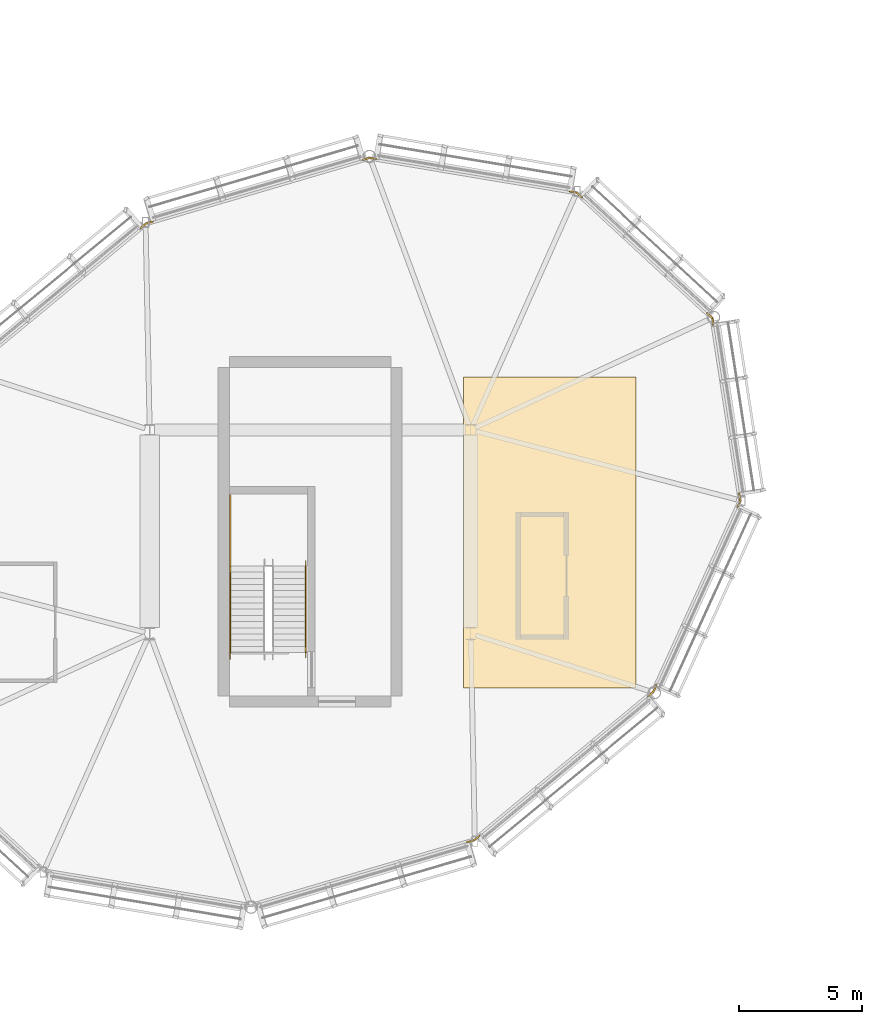
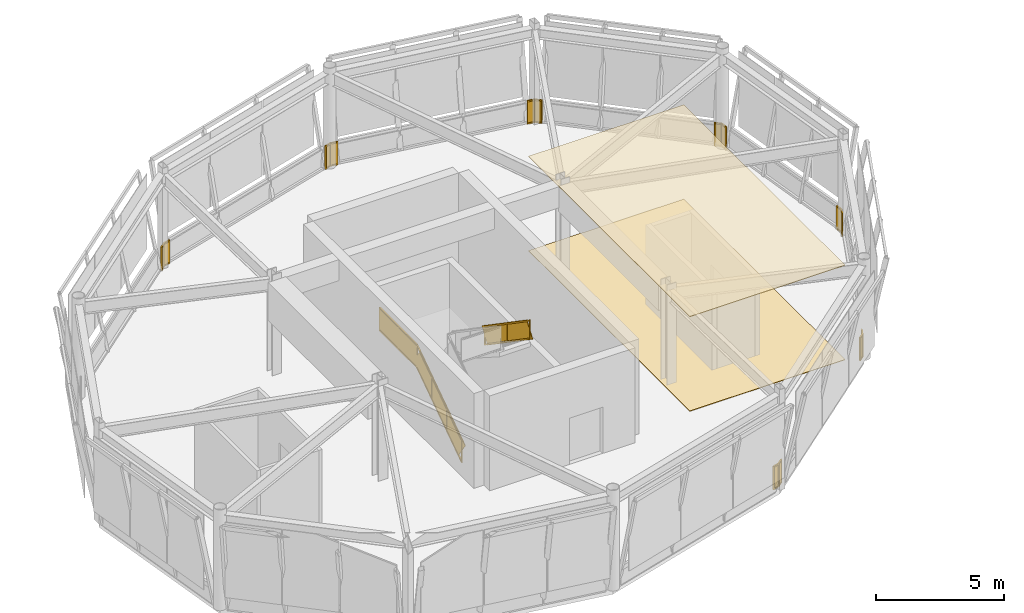
# One storey, part 94 of 94: 10 railings, 2 coverings.
"""IFC4 building model written with IfcOpenShell, lengths in metres."""

from ifc_helpers import new_model, si_unit, direction, frame, origin, origin_2d, place, context, subcontext, project, spatial, polyline, rectangle, outline, extrude, material, layer, layer_set, type_object, element, save


model = new_model("IFC4")

# Units and contexts
model_context = context("Model", 3, precision=1e-05, world=origin(), true_north=direction((0.0, 1.0)))
body_context = subcontext(model_context, "Body", "Model", "MODEL_VIEW")
ifc_project = project(units=[si_unit("LENGTHUNIT", "METRE"), si_unit("AREAUNIT", "SQUARE_METRE"), si_unit("VOLUMEUNIT", "CUBIC_METRE"), si_unit("PLANEANGLEUNIT", "RADIAN"), si_unit("MASSUNIT", "GRAM", prefix="KILO")], contexts=[model_context])

# Site, building, storey
site_placement = place(None, origin())
site = spatial("IfcSite", under=ifc_project, at=site_placement, CompositionType="ELEMENT")
building_placement = place(site_placement, origin())
building = spatial("IfcBuilding", under=site, at=building_placement, Name="Linyun Crest Stadium", CompositionType="ELEMENT")
storey_placement = place(building_placement, frame((0.0, 0.0, 16.199951171875)))
storey = spatial("IfcBuildingStorey", under=building, at=storey_placement, Name="L04", CompositionType="ELEMENT", Elevation=16.199951171875)

# Coverings
ifc_material_1 = material(Name="Perforated acoustic mineral-fibre ceiling")
ifc_layer_1 = layer(ifc_material_1, 0.02490234375)
ifc_layer_set_1 = layer_set([ifc_layer_1], Name="Perforated acoustic mineral-fibre ceiling")
covering_type_1 = type_object("IfcCoveringType", Name="CLG01", PredefinedType="CEILING", material=ifc_layer_set_1)
covering_1_placement = place(storey_placement, frame((0.0, 0.0, 4.4951171875)))
element("IfcCovering", 1, at=covering_1_placement, inside=storey, type_object=covering_type_1, Name="Suspended acoustic ceiling CLG01 48", PredefinedType="CEILING", context=body_context, shape_type="SweptSolid", body=[
    extrude(outline(polyline([(79.699951171875, 78.300048828125), (86.699951171875, 78.300048828125), (86.699951171875, 90.89990234375), (79.699951171875, 90.89990234375), (79.699951171875, 78.300048828125)])), origin(), (0.0, 0.0, 1.0), 0.02490234375),
])
ifc_material_2 = material(Name="Terrazzo concourse and hospitality floor finish")
ifc_layer_2 = layer(ifc_material_2, 0.02197265625)
ifc_layer_set_2 = layer_set([ifc_layer_2], Name="Terrazzo concourse and hospitality floor finish")
covering_type_2 = type_object("IfcCoveringType", Name="FLR02", PredefinedType="FLOORING", material=ifc_layer_set_2)
covering_2_placement = place(storey_placement, origin())
element("IfcCovering", 2, at=covering_2_placement, inside=storey, type_object=covering_type_2, Name="Terrazzo flooring FLR02 47", PredefinedType="FLOORING", context=body_context, shape_type="SweptSolid", body=[
    extrude(outline(polyline([(79.699951171875, 78.300048828125), (86.699951171875, 78.300048828125), (86.699951171875, 90.89990234375), (79.699951171875, 90.89990234375), (79.699951171875, 78.300048828125)])), origin(), (0.0, 0.0, 1.0), 0.02197265625),
])

# Railings
ifc_material_3 = material(Name="Galvanized and powder-coated steel bowl safety barrier", Category="steel")
railing_type_1 = type_object("IfcRailingType", Name="GR02", PredefinedType="GUARDRAIL", material=ifc_material_3)
railing_1_placement = place(storey_placement, frame((89.779052734375, 93.280029296875, 0.0)))
element("IfcRailing", 3, at=railing_1_placement, inside=storey, type_object=railing_type_1, Name="Slab edge balustrade GR02 337", PredefinedType="GUARDRAIL", context=body_context, shape_type="SweptSolid", body=[
    extrude(rectangle(XDim=0.06005859375, YDim=0.06005859375, at=origin_2d()), frame((0.0, 0.0, 1.090087890625), z_axis=(0.150349133385, -0.988632964295, 0.0), x_axis=(0.988632964295, 0.150349133385, 0.0)), (0.0, 0.0, 1.0), 0.279296875),
    extrude(rectangle(XDim=0.030029296875, YDim=1.0, at=origin_2d()), frame((0.0, 0.0, 0.56005859375), z_axis=(0.150349133385, -0.988632964295, 0.0), x_axis=(0.988632964295, 0.150349133385, 0.0)), (0.0, 0.0, 1.0), 0.279296875),
    extrude(rectangle(XDim=0.06005859375, YDim=0.06005859375, at=origin_2d()), frame((0.0, 0.0, 0.030029296875), z_axis=(0.150349133385, -0.988632964295, 0.0), x_axis=(0.988632964295, 0.150349133385, 0.0)), (0.0, 0.0, 1.0), 0.279296875),
    extrude(rectangle(XDim=0.050048828125, YDim=0.050048828125, at=origin_2d()), origin(), (0.0, 0.0, 1.0), 1.1201171875),
    extrude(rectangle(XDim=0.050048828125, YDim=0.050048828125, at=origin_2d()), frame((0.0419921875, -0.276123046875, 0.0)), (0.0, 0.0, 1.0), 1.1201171875),
])
railing_2_placement = place(storey_placement, frame((90.8740234375, 86.166015625, 0.0)))
element("IfcRailing", 4, at=railing_2_placement, inside=storey, type_object=railing_type_1, Name="Slab edge balustrade GR02 338", PredefinedType="GUARDRAIL", context=body_context, shape_type="SweptSolid", body=[
    extrude(rectangle(XDim=0.06005859375, YDim=0.06005859375, at=origin_2d()), frame((0.0, 0.0, 1.090087890625), z_axis=(0.1521871378, -0.988351696052, 0.0), x_axis=(0.988351696052, 0.1521871378, 0.0)), (0.0, 0.0, 1.0), 0.2822265625),
    extrude(rectangle(XDim=0.030029296875, YDim=1.0, at=origin_2d()), frame((0.0, 0.0, 0.56005859375), z_axis=(0.1521871378, -0.988351696052, 0.0), x_axis=(0.988351696052, 0.1521871378, 0.0)), (0.0, 0.0, 1.0), 0.2822265625),
    extrude(rectangle(XDim=0.06005859375, YDim=0.06005859375, at=origin_2d()), frame((0.0, 0.0, 0.030029296875), z_axis=(0.1521871378, -0.988351696052, 0.0), x_axis=(0.988351696052, 0.1521871378, 0.0)), (0.0, 0.0, 1.0), 0.2822265625),
    extrude(rectangle(XDim=0.06005859375, YDim=0.06005859375, at=origin_2d()), frame((0.04296875, -0.279052734375, 1.090087890625), z_axis=(-0.414063441435, -0.910248024698, 0.0), x_axis=(0.910248024698, -0.414063441435, 0.0)), (0.0, 0.0, 1.0), 0.282470703125),
    extrude(rectangle(XDim=0.030029296875, YDim=1.0, at=origin_2d()), frame((0.04296875, -0.279052734375, 0.56005859375), z_axis=(-0.414063441435, -0.910248024698, 0.0), x_axis=(0.910248024698, -0.414063441435, 0.0)), (0.0, 0.0, 1.0), 0.282470703125),
    extrude(rectangle(XDim=0.06005859375, YDim=0.06005859375, at=origin_2d()), frame((0.04296875, -0.279052734375, 0.030029296875), z_axis=(-0.414063441435, -0.910248024698, 0.0), x_axis=(0.910248024698, -0.414063441435, 0.0)), (0.0, 0.0, 1.0), 0.282470703125),
    extrude(rectangle(XDim=0.050048828125, YDim=0.050048828125, at=origin_2d()), origin(), (0.0, 0.0, 1.0), 1.1201171875),
    extrude(rectangle(XDim=0.050048828125, YDim=0.050048828125, at=origin_2d()), frame((0.04296875, -0.279052734375, 0.0)), (0.0, 0.0, 1.0), 1.1201171875),
    extrude(rectangle(XDim=0.050048828125, YDim=0.050048828125, at=origin_2d()), frame((-0.073974609375, -0.5361328125, 0.0)), (0.0, 0.0, 1.0), 1.1201171875),
])
railing_3_placement = place(storey_placement, frame((87.510986328125, 78.407958984375, 0.0)))
element("IfcRailing", 5, at=railing_3_placement, inside=storey, type_object=railing_type_1, Name="Slab edge balustrade GR02 339", PredefinedType="GUARDRAIL", context=body_context, shape_type="SweptSolid", body=[
    extrude(rectangle(XDim=0.06005859375, YDim=0.06005859375, at=origin_2d()), frame((0.0, 0.0, 1.090087890625), z_axis=(-0.414572445131, -0.910016311798, 0.0), x_axis=(0.910016311798, -0.414572445131, 0.0)), (0.0, 0.0, 1.0), 0.286865234375),
    extrude(rectangle(XDim=0.030029296875, YDim=1.0, at=origin_2d()), frame((0.0, 0.0, 0.56005859375), z_axis=(-0.414572445131, -0.910016311798, 0.0), x_axis=(0.910016311798, -0.414572445131, 0.0)), (0.0, 0.0, 1.0), 0.286865234375),
    extrude(rectangle(XDim=0.06005859375, YDim=0.06005859375, at=origin_2d()), frame((0.0, 0.0, 0.030029296875), z_axis=(-0.414572445131, -0.910016311798, 0.0), x_axis=(0.910016311798, -0.414572445131, 0.0)), (0.0, 0.0, 1.0), 0.286865234375),
    extrude(rectangle(XDim=0.06005859375, YDim=0.06005859375, at=origin_2d()), frame((-0.118896484375, -0.260986328125, 1.090087890625), z_axis=(-0.77066950633, -0.637235052404, 0.0), x_axis=(0.637235052404, -0.77066950633, 0.0)), (0.0, 0.0, 1.0), 0.285400390625),
    extrude(rectangle(XDim=0.030029296875, YDim=1.0, at=origin_2d()), frame((-0.118896484375, -0.260986328125, 0.56005859375), z_axis=(-0.77066950633, -0.637235052404, 0.0), x_axis=(0.637235052404, -0.77066950633, 0.0)), (0.0, 0.0, 1.0), 0.285400390625),
    extrude(rectangle(XDim=0.06005859375, YDim=0.06005859375, at=origin_2d()), frame((-0.118896484375, -0.260986328125, 0.030029296875), z_axis=(-0.77066950633, -0.637235052404, 0.0), x_axis=(0.637235052404, -0.77066950633, 0.0)), (0.0, 0.0, 1.0), 0.285400390625),
    extrude(rectangle(XDim=0.050048828125, YDim=0.050048828125, at=origin_2d()), origin(), (0.0, 0.0, 1.0), 1.1201171875),
    extrude(rectangle(XDim=0.050048828125, YDim=0.050048828125, at=origin_2d()), frame((-0.118896484375, -0.260986328125, 0.0)), (0.0, 0.0, 1.0), 1.1201171875),
    extrude(rectangle(XDim=0.050048828125, YDim=0.050048828125, at=origin_2d()), frame((-0.3388671875, -0.44287109375, 0.0)), (0.0, 0.0, 1.0), 1.1201171875),
])
railing_4_placement = place(storey_placement, frame((80.35888671875, 72.323974609375, 0.0)))
element("IfcRailing", 6, at=railing_4_placement, inside=storey, type_object=railing_type_1, Name="Slab edge balustrade GR02 340", PredefinedType="GUARDRAIL", context=body_context, shape_type="SweptSolid", body=[
    extrude(rectangle(XDim=0.06005859375, YDim=0.06005859375, at=origin_2d()), frame((0.0, 0.0, 1.090087890625), z_axis=(-0.771758653069, -0.635915545818, 0.0), x_axis=(0.635915545818, -0.771758653069, 0.0)), (0.0, 0.0, 1.0), 0.28759765625),
    extrude(rectangle(XDim=0.030029296875, YDim=1.0, at=origin_2d()), frame((0.0, 0.0, 0.56005859375), z_axis=(-0.771758653069, -0.635915545818, 0.0), x_axis=(0.635915545818, -0.771758653069, 0.0)), (0.0, 0.0, 1.0), 0.28759765625),
    extrude(rectangle(XDim=0.06005859375, YDim=0.06005859375, at=origin_2d()), frame((0.0, 0.0, 0.030029296875), z_axis=(-0.771758653069, -0.635915545818, 0.0), x_axis=(0.635915545818, -0.771758653069, 0.0)), (0.0, 0.0, 1.0), 0.28759765625),
    extrude(rectangle(XDim=0.06005859375, YDim=0.06005859375, at=origin_2d()), frame((-0.221923828125, -0.182861328125, 1.090087890625), z_axis=(-0.959446583049, -0.281890500506, 0.0), x_axis=(0.281890500506, -0.959446583049, 0.0)), (0.0, 0.0, 1.0), 0.28759765625),
    extrude(rectangle(XDim=0.030029296875, YDim=1.0, at=origin_2d()), frame((-0.221923828125, -0.182861328125, 0.56005859375), z_axis=(-0.959446583049, -0.281890500506, 0.0), x_axis=(0.281890500506, -0.959446583049, 0.0)), (0.0, 0.0, 1.0), 0.28759765625),
    extrude(rectangle(XDim=0.06005859375, YDim=0.06005859375, at=origin_2d()), frame((-0.221923828125, -0.182861328125, 0.030029296875), z_axis=(-0.959446583049, -0.281890500506, 0.0), x_axis=(0.281890500506, -0.959446583049, 0.0)), (0.0, 0.0, 1.0), 0.28759765625),
    extrude(rectangle(XDim=0.050048828125, YDim=0.050048828125, at=origin_2d()), origin(), (0.0, 0.0, 1.0), 1.1201171875),
    extrude(rectangle(XDim=0.050048828125, YDim=0.050048828125, at=origin_2d()), frame((-0.221923828125, -0.182861328125, 0.0)), (0.0, 0.0, 1.0), 1.1201171875),
    extrude(rectangle(XDim=0.050048828125, YDim=0.050048828125, at=origin_2d()), frame((-0.497802734375, -0.263916015625, 0.0)), (0.0, 0.0, 1.0), 1.1201171875),
])
railing_5_placement = place(storey_placement, frame((66.64111328125, 96.926025390625, 0.0)))
element("IfcRailing", 7, at=railing_5_placement, inside=storey, type_object=railing_type_1, Name="Slab edge balustrade GR02 346", PredefinedType="GUARDRAIL", context=body_context, shape_type="SweptSolid", body=[
    extrude(rectangle(XDim=0.06005859375, YDim=0.06005859375, at=origin_2d()), frame((0.0, 0.0, 1.090087890625), z_axis=(0.771758653069, 0.635915545818, 0.0), x_axis=(-0.635915545818, 0.771758653069, 0.0)), (0.0, 0.0, 1.0), 0.28759765625),
    extrude(rectangle(XDim=0.030029296875, YDim=1.0, at=origin_2d()), frame((0.0, 0.0, 0.56005859375), z_axis=(0.771758653069, 0.635915545818, 0.0), x_axis=(-0.635915545818, 0.771758653069, 0.0)), (0.0, 0.0, 1.0), 0.28759765625),
    extrude(rectangle(XDim=0.06005859375, YDim=0.06005859375, at=origin_2d()), frame((0.0, 0.0, 0.030029296875), z_axis=(0.771758653069, 0.635915545818, 0.0), x_axis=(-0.635915545818, 0.771758653069, 0.0)), (0.0, 0.0, 1.0), 0.28759765625),
    extrude(rectangle(XDim=0.06005859375, YDim=0.06005859375, at=origin_2d()), frame((0.221923828125, 0.182861328125, 1.090087890625), z_axis=(0.959446583049, 0.281890500506, 0.0), x_axis=(-0.281890500506, 0.959446583049, 0.0)), (0.0, 0.0, 1.0), 0.28759765625),
    extrude(rectangle(XDim=0.030029296875, YDim=1.0, at=origin_2d()), frame((0.221923828125, 0.182861328125, 0.56005859375), z_axis=(0.959446583049, 0.281890500506, 0.0), x_axis=(-0.281890500506, 0.959446583049, 0.0)), (0.0, 0.0, 1.0), 0.28759765625),
    extrude(rectangle(XDim=0.06005859375, YDim=0.06005859375, at=origin_2d()), frame((0.221923828125, 0.182861328125, 0.030029296875), z_axis=(0.959446583049, 0.281890500506, 0.0), x_axis=(-0.281890500506, 0.959446583049, 0.0)), (0.0, 0.0, 1.0), 0.28759765625),
    extrude(rectangle(XDim=0.050048828125, YDim=0.050048828125, at=origin_2d()), origin(), (0.0, 0.0, 1.0), 1.1201171875),
    extrude(rectangle(XDim=0.050048828125, YDim=0.050048828125, at=origin_2d()), frame((0.221923828125, 0.182861328125, 0.0)), (0.0, 0.0, 1.0), 1.1201171875),
    extrude(rectangle(XDim=0.050048828125, YDim=0.050048828125, at=origin_2d()), frame((0.497802734375, 0.263916015625, 0.0)), (0.0, 0.0, 1.0), 1.1201171875),
])
railing_6_placement = place(storey_placement, frame((75.623046875, 99.68408203125, 0.0)))
element("IfcRailing", 8, at=railing_6_placement, inside=storey, type_object=railing_type_1, Name="Slab edge balustrade GR02 347", PredefinedType="GUARDRAIL", context=body_context, shape_type="SweptSolid", body=[
    extrude(rectangle(XDim=0.06005859375, YDim=0.06005859375, at=origin_2d()), frame((0.0, 0.0, 1.090087890625), z_axis=(0.959406194526, 0.282027931073, 0.0), x_axis=(-0.282027931073, 0.959406194526, 0.0)), (0.0, 0.0, 1.0), 0.28662109375),
    extrude(rectangle(XDim=0.030029296875, YDim=1.0, at=origin_2d()), frame((0.0, 0.0, 0.56005859375), z_axis=(0.959406194526, 0.282027931073, 0.0), x_axis=(-0.282027931073, 0.959406194526, 0.0)), (0.0, 0.0, 1.0), 0.28662109375),
    extrude(rectangle(XDim=0.06005859375, YDim=0.06005859375, at=origin_2d()), frame((0.0, 0.0, 0.030029296875), z_axis=(0.959406194526, 0.282027931073, 0.0), x_axis=(-0.282027931073, 0.959406194526, 0.0)), (0.0, 0.0, 1.0), 0.28662109375),
    extrude(rectangle(XDim=0.06005859375, YDim=0.06005859375, at=origin_2d()), frame((0.27490234375, 0.080810546875, 1.090087890625), z_axis=(0.985905166387, -0.167305119144, 0.0), x_axis=(0.167305119144, 0.985905166387, 0.0)), (0.0, 0.0, 1.0), 0.2861328125),
    extrude(rectangle(XDim=0.030029296875, YDim=1.0, at=origin_2d()), frame((0.27490234375, 0.080810546875, 0.56005859375), z_axis=(0.985905166387, -0.167305119144, 0.0), x_axis=(0.167305119144, 0.985905166387, 0.0)), (0.0, 0.0, 1.0), 0.2861328125),
    extrude(rectangle(XDim=0.06005859375, YDim=0.06005859375, at=origin_2d()), frame((0.27490234375, 0.080810546875, 0.030029296875), z_axis=(0.985905166387, -0.167305119144, 0.0), x_axis=(0.167305119144, 0.985905166387, 0.0)), (0.0, 0.0, 1.0), 0.2861328125),
    extrude(rectangle(XDim=0.050048828125, YDim=0.050048828125, at=origin_2d()), origin(), (0.0, 0.0, 1.0), 1.1201171875),
    extrude(rectangle(XDim=0.050048828125, YDim=0.050048828125, at=origin_2d()), frame((0.27490234375, 0.080810546875, 0.0)), (0.0, 0.0, 1.0), 1.1201171875),
    extrude(rectangle(XDim=0.050048828125, YDim=0.050048828125, at=origin_2d()), frame((0.556884765625, 0.032958984375, 0.0)), (0.0, 0.0, 1.0), 1.1201171875),
])
railing_7_placement = place(storey_placement, frame((84.007080078125, 98.406005859375, 0.0)))
element("IfcRailing", 9, at=railing_7_placement, inside=storey, type_object=railing_type_1, Name="Slab edge balustrade GR02 348", PredefinedType="GUARDRAIL", context=body_context, shape_type="SweptSolid", body=[
    extrude(rectangle(XDim=0.06005859375, YDim=0.06005859375, at=origin_2d()), frame((0.0, 0.0, 1.090087890625), z_axis=(0.986627241764, -0.1629929011, 0.0), x_axis=(0.1629929011, 0.986627241764, 0.0)), (0.0, 0.0, 1.0), 0.281494140625),
    extrude(rectangle(XDim=0.030029296875, YDim=1.0, at=origin_2d()), frame((0.0, 0.0, 0.56005859375), z_axis=(0.986627241764, -0.1629929011, 0.0), x_axis=(0.1629929011, 0.986627241764, 0.0)), (0.0, 0.0, 1.0), 0.281494140625),
    extrude(rectangle(XDim=0.06005859375, YDim=0.06005859375, at=origin_2d()), frame((0.0, 0.0, 0.030029296875), z_axis=(0.986627241764, -0.1629929011, 0.0), x_axis=(0.1629929011, 0.986627241764, 0.0)), (0.0, 0.0, 1.0), 0.281494140625),
    extrude(rectangle(XDim=0.06005859375, YDim=0.06005859375, at=origin_2d()), frame((0.27783203125, -0.0458984375, 1.090087890625), z_axis=(0.734572019785, -0.678530727196, 0.0), x_axis=(0.678530727196, 0.734572019785, 0.0)), (0.0, 0.0, 1.0), 0.283203125),
    extrude(rectangle(XDim=0.030029296875, YDim=1.0, at=origin_2d()), frame((0.27783203125, -0.0458984375, 0.56005859375), z_axis=(0.734572019785, -0.678530727196, 0.0), x_axis=(0.678530727196, 0.734572019785, 0.0)), (0.0, 0.0, 1.0), 0.283203125),
    extrude(rectangle(XDim=0.06005859375, YDim=0.06005859375, at=origin_2d()), frame((0.27783203125, -0.0458984375, 0.030029296875), z_axis=(0.734572019785, -0.678530727196, 0.0), x_axis=(0.678530727196, 0.734572019785, 0.0)), (0.0, 0.0, 1.0), 0.283203125),
    extrude(rectangle(XDim=0.050048828125, YDim=0.050048828125, at=origin_2d()), origin(), (0.0, 0.0, 1.0), 1.1201171875),
    extrude(rectangle(XDim=0.050048828125, YDim=0.050048828125, at=origin_2d()), frame((0.27783203125, -0.0458984375, 0.0)), (0.0, 0.0, 1.0), 1.1201171875),
    extrude(rectangle(XDim=0.050048828125, YDim=0.050048828125, at=origin_2d()), frame((0.48583984375, -0.238037109375, 0.0)), (0.0, 0.0, 1.0), 1.1201171875),
])
railing_8_placement = place(storey_placement, frame((89.573974609375, 93.469970703125, 0.0)))
element("IfcRailing", 10, at=railing_8_placement, inside=storey, type_object=railing_type_1, Name="Slab edge balustrade GR02 349", PredefinedType="GUARDRAIL", context=body_context, shape_type="SweptSolid", body=[
    extrude(rectangle(XDim=0.06005859375, YDim=0.06005859375, at=origin_2d()), frame((0.0, 0.0, 1.090087890625), z_axis=(0.733663907779, -0.67951252411, 0.0), x_axis=(0.67951252411, 0.733663907779, 0.0)), (0.0, 0.0, 1.0), 0.279541015625),
    extrude(rectangle(XDim=0.030029296875, YDim=1.0, at=origin_2d()), frame((0.0, 0.0, 0.56005859375), z_axis=(0.733663907779, -0.67951252411, 0.0), x_axis=(0.67951252411, 0.733663907779, 0.0)), (0.0, 0.0, 1.0), 0.279541015625),
    extrude(rectangle(XDim=0.06005859375, YDim=0.06005859375, at=origin_2d()), frame((0.0, 0.0, 0.030029296875), z_axis=(0.733663907779, -0.67951252411, 0.0), x_axis=(0.67951252411, 0.733663907779, 0.0)), (0.0, 0.0, 1.0), 0.279541015625),
    extrude(rectangle(XDim=0.050048828125, YDim=0.050048828125, at=origin_2d()), origin(), (0.0, 0.0, 1.0), 1.1201171875),
    extrude(rectangle(XDim=0.050048828125, YDim=0.050048828125, at=origin_2d()), frame((0.205078125, -0.18994140625, 0.0)), (0.0, 0.0, 1.0), 1.1201171875),
])
ifc_material_4 = material(Name="Painted steel stairwell safety guard", Category="steel")
railing_type_2 = type_object("IfcRailingType", Name="GR03", PredefinedType="GUARDRAIL", material=ifc_material_4)
railing_9_placement = place(storey_placement, frame((70.2548828125, 79.739990234375, 0.0)))
element("IfcRailing", 11, at=railing_9_placement, inside=storey, type_object=railing_type_2, Name="STR-12-L04 outer guard", PredefinedType="GUARDRAIL", context=body_context, shape_type="SweptSolid", body=[
    extrude(rectangle(XDim=0.06005859375, YDim=0.06005859375, at=origin_2d()), frame((0.0, 0.0, 1.090087890625), z_axis=(0.0, 0.824712752785, 0.565551832633), x_axis=(-1.0, 0.0, 0.0)), (0.0, 0.0, 1.0), 4.243896484375),
    extrude(rectangle(XDim=0.030029296875, YDim=1.0, at=origin_2d()), frame((0.0, 0.0, 0.56005859375), z_axis=(0.0, 0.824712752785, 0.565551832633), x_axis=(-1.0, 0.0, 0.0)), (0.0, 0.0, 1.0), 4.243896484375),
    extrude(rectangle(XDim=0.06005859375, YDim=0.06005859375, at=origin_2d()), frame((0.0, 0.0, 0.030029296875), z_axis=(0.0, 0.824712752785, 0.565551832633), x_axis=(-1.0, 0.0, 0.0)), (0.0, 0.0, 1.0), 4.243896484375),
    extrude(rectangle(XDim=0.06005859375, YDim=0.06005859375, at=origin_2d()), frame((0.0, 3.5, 3.490234375), z_axis=(0.0, 1.0, 0.0), x_axis=(-1.0, 0.0, 0.0)), (0.0, 0.0, 1.0), 2.880126953125),
    extrude(rectangle(XDim=0.030029296875, YDim=1.0, at=origin_2d()), frame((0.0, 3.5, 2.960205078125), z_axis=(0.0, 1.0, 0.0), x_axis=(-1.0, 0.0, 0.0)), (0.0, 0.0, 1.0), 2.880126953125),
    extrude(rectangle(XDim=0.06005859375, YDim=0.06005859375, at=origin_2d()), frame((0.0, 3.5, 2.43017578125), z_axis=(0.0, 1.0, 0.0), x_axis=(-1.0, 0.0, 0.0)), (0.0, 0.0, 1.0), 2.880126953125),
    extrude(rectangle(XDim=0.050048828125, YDim=0.050048828125, at=origin_2d()), origin(), (0.0, 0.0, 1.0), 1.1201171875),
    extrude(rectangle(XDim=0.050048828125, YDim=0.050048828125, at=origin_2d()), frame((0.0, 1.166748046875, 0.800048828125)), (0.0, 0.0, 1.0), 1.1201171875),
    extrude(rectangle(XDim=0.050048828125, YDim=0.050048828125, at=origin_2d()), frame((0.0, 2.333251953125, 1.60009765625)), (0.0, 0.0, 1.0), 1.1201171875),
    extrude(rectangle(XDim=0.050048828125, YDim=0.050048828125, at=origin_2d()), frame((0.0, 3.5, 2.400146484375)), (0.0, 0.0, 1.0), 1.1201171875),
    extrude(rectangle(XDim=0.050048828125, YDim=0.050048828125, at=origin_2d()), frame((0.0, 4.93994140625, 2.400146484375)), (0.0, 0.0, 1.0), 1.1201171875),
    extrude(rectangle(XDim=0.050048828125, YDim=0.050048828125, at=origin_2d()), frame((0.0, 6.380126953125, 2.400146484375)), (0.0, 0.0, 1.0), 1.1201171875),
])
ifc_material_5 = material(Name="Brushed stainless steel tubular handrail", Category="steel")
railing_type_3 = type_object("IfcRailingType", Name="HR01", PredefinedType="HANDRAIL", material=ifc_material_5)
railing_10_placement = place(storey_placement, frame((73.320068359375, 83.239990234375, 2.400146484375)))
element("IfcRailing", 12, at=railing_10_placement, inside=storey, type_object=railing_type_3, Name="STR-12-L04 handrail", PredefinedType="HANDRAIL", context=body_context, shape_type="SweptSolid", body=[
    extrude(rectangle(XDim=0.06005859375, YDim=0.06005859375, at=origin_2d()), frame((0.0, 0.0, 0.889892578125), z_axis=(0.0, -0.824739584531, 0.5655127034), x_axis=(1.0, 0.0, 0.0)), (0.0, 0.0, 1.0), 4.24365234375),
    extrude(rectangle(XDim=0.030029296875, YDim=0.7998046875, at=origin_2d()), frame((0.0, 0.0, 0.4599609375), z_axis=(0.0, -0.824739584531, 0.5655127034), x_axis=(1.0, 0.0, 0.0)), (0.0, 0.0, 1.0), 4.24365234375),
    extrude(rectangle(XDim=0.06005859375, YDim=0.06005859375, at=origin_2d()), frame((0.0, 0.0, 0.030029296875), z_axis=(0.0, -0.824739584531, 0.5655127034), x_axis=(1.0, 0.0, 0.0)), (0.0, 0.0, 1.0), 4.24365234375),
    extrude(rectangle(XDim=0.050048828125, YDim=0.050048828125, at=origin_2d()), origin(), (0.0, 0.0, 1.0), 0.919921875),
    extrude(rectangle(XDim=0.050048828125, YDim=0.050048828125, at=origin_2d()), frame((0.0, -1.75, 1.199951171875)), (0.0, 0.0, 1.0), 0.919921875),
    extrude(rectangle(XDim=0.050048828125, YDim=0.050048828125, at=origin_2d()), frame((0.0, -3.5, 2.39990234375)), (0.0, 0.0, 1.0), 0.919921875),
])

save(model, "model.ifc")
